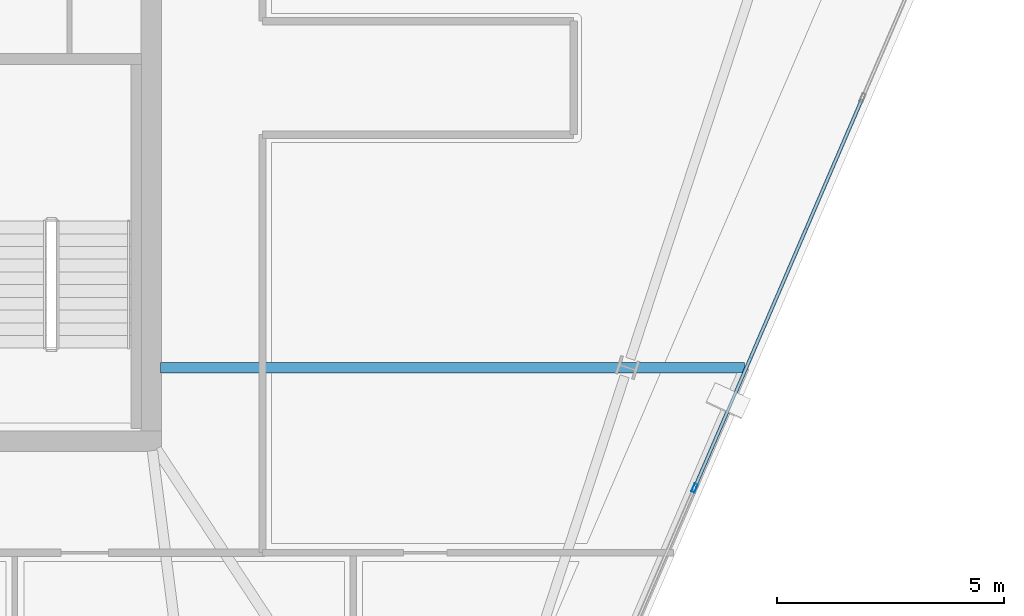
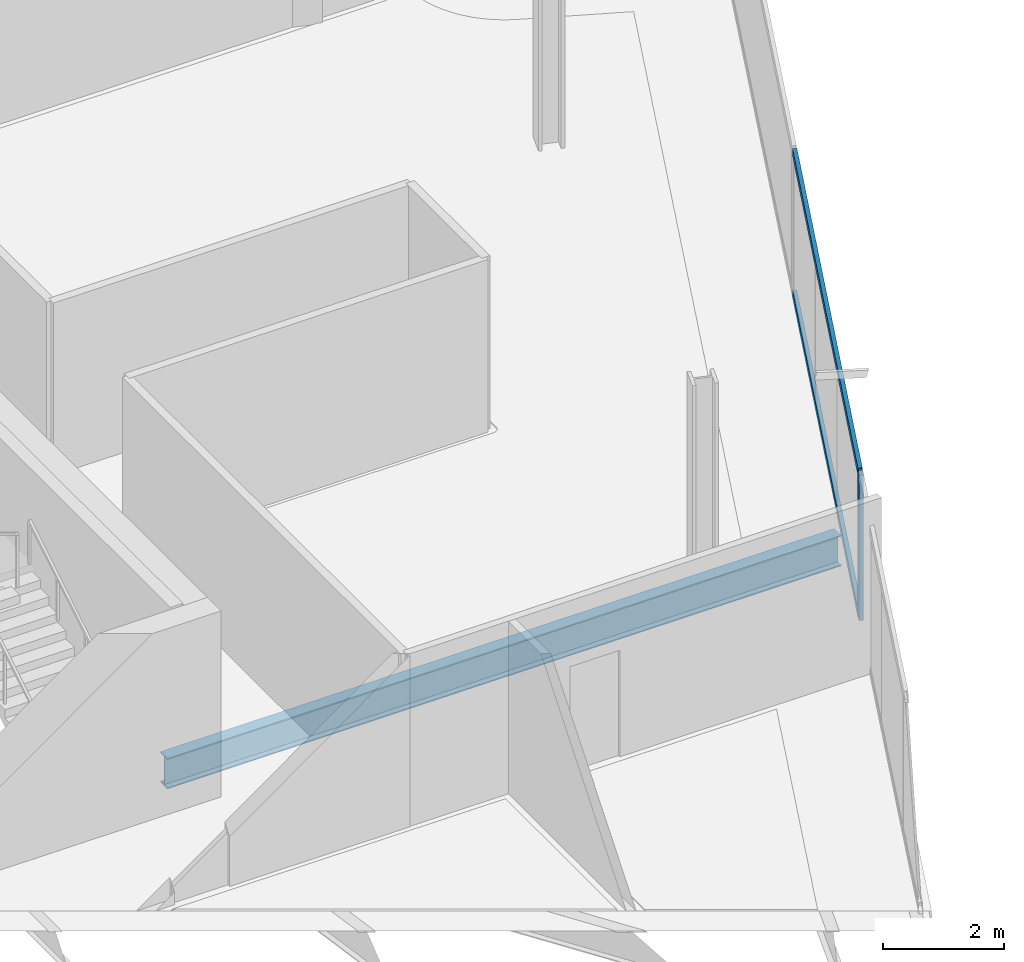
# One storey, part 11 of 28: 3 members, 1 beam, 1 element without a shape of its own.
"""IFC4 building model written with IfcOpenShell, lengths in metres."""

from ifc_helpers import new_model, si_unit, direction, frame, origin, origin_2d, place, context, subcontext, project, spatial, hollow_rectangle, i_section, extrude, material, material_profile, profile_set, type_object, element, aggregate, save


model = new_model("IFC4")

# Units and contexts
model_context = context("Model", 3, precision=1e-05, world=origin(), true_north=direction((0.0, 1.0)))
body_context = subcontext(model_context, "Body", "Model", "MODEL_VIEW")
ifc_project = project(units=[si_unit("LENGTHUNIT", "METRE"), si_unit("AREAUNIT", "SQUARE_METRE"), si_unit("VOLUMEUNIT", "CUBIC_METRE"), si_unit("PLANEANGLEUNIT", "RADIAN"), si_unit("MASSUNIT", "GRAM", prefix="KILO")], contexts=[model_context])

# Site, building, storey
site_placement = place(None, origin())
site = spatial("IfcSite", under=ifc_project, at=site_placement, CompositionType="ELEMENT")
building_placement = place(site_placement, origin())
building = spatial("IfcBuilding", under=site, at=building_placement, Name="Haldenkirk Collegiate Tower", CompositionType="ELEMENT")
storey_placement = place(building_placement, frame((0.0, 0.0, 252.449951171875)))
storey = spatial("IfcBuildingStorey", under=building, at=storey_placement, Name="L63", CompositionType="ELEMENT", Elevation=252.449951171875)

# Beam
ifc_material_1 = material(Name="Steel ASTM A992 Grade 50", Category="steel")
ifc_material_profile_1 = material_profile(ifc_material_1, i_section(OverallWidth=0.22998046875, OverallDepth=0.616943359375, WebThickness=0.01318359375, FlangeThickness=0.022216796875, at=origin_2d()), Name="W24X94")
ifc_profile_set_1 = profile_set([ifc_material_profile_1], Name="Steel ASTM A992 Grade 50")
beam_type = type_object("IfcBeamType", Name="BM-GIRDER-W24X94", PredefinedType="BEAM", material=ifc_profile_set_1)
beam_placement = place(storey_placement, frame((58.056884765625, 19.624267578125, -0.578369140625), z_axis=(-1.0, 0.0, 0.0), x_axis=(0.0, -1.0, 0.0)))
element("IfcBeam", 1, at=beam_placement, inside=storey, type_object=beam_type, Name="L63 primary floor girder 06", PredefinedType="BEAM", context=body_context, shape_type="SweptSolid", body=[
    extrude(i_section(OverallWidth=0.22998046875, OverallDepth=0.616943359375, WebThickness=0.01318359375, FlangeThickness=0.022216796875, at=origin_2d()), origin(), (0.0, 0.0, 1.0), 12.851806640625),
])

# Curtain wall, members
ifc_material_2 = material(Name="Anodised architectural bronze aluminium", Category="aluminium")
curtain_wall_type = type_object("IfcCurtainWallType", Name="CW-SYS2-CONCAVE", PredefinedType="USERDEFINED", material=ifc_material_2)
curtain_wall_placement = place(storey_placement, origin())
curtain_wall = element("IfcCurtainWall", 2, at=curtain_wall_placement, inside=storey, type_object=curtain_wall_type, Name="L63 South concave recessed bronze-anodised curtain wall", ObjectType="UNITISED CURTAIN WALL", PredefinedType="USERDEFINED")
ifc_material_profile_2 = material_profile(ifc_material_2, hollow_rectangle(XDim=0.074951171875, YDim=0.18994140625, WallThickness=0.0048828125, at=origin_2d()), Name="CW-MUL-02")
ifc_profile_set_2 = profile_set([ifc_material_profile_2], Name="Anodised architectural bronze aluminium")
member_type_1 = type_object("IfcMemberType", Name="CW-MUL-02", PredefinedType="MULLION", material=ifc_profile_set_2)
member_1_placement = place(storey_placement, frame((56.958984375, 16.9736328125, 0.0), z_axis=(0.0, 0.0, 1.0), x_axis=(0.918446421115, -0.395545410215, 0.0)))
member_1 = element("IfcMember", 3, at=member_1_placement, type_object=member_type_1, Name="CW-02 mullion 3", PredefinedType="MULLION", context=body_context, shape_type="SweptSolid", body=[
    extrude(hollow_rectangle(XDim=0.074951171875, YDim=0.18994140625, WallThickness=0.0048828125, at=origin_2d()), origin(), (0.0, 0.0, 1.0), 2.93798828125),
])
ifc_material_profile_3 = material_profile(ifc_material_2, hollow_rectangle(XDim=0.074951171875, YDim=0.159912109375, WallThickness=0.0048828125, at=origin_2d()), Name="CW-TRN-02")
ifc_profile_set_3 = profile_set([ifc_material_profile_3], Name="Anodised architectural bronze aluminium")
member_type_2 = type_object("IfcMemberType", Name="CW-TRN-02", PredefinedType="USERDEFINED", material=ifc_profile_set_3)
member_2_placement = place(storey_placement, frame((60.642578125, 25.526611328125, 0.03759765625), z_axis=(-0.395548406004, -0.918445130918, 0.0), x_axis=(0.918445130918, -0.395548406004, 0.0)))
member_2 = element("IfcMember", 4, at=member_2_placement, type_object=member_type_2, Name="CW-02 transom 2.1", ObjectType="TRANSOM", PredefinedType="USERDEFINED", context=body_context, shape_type="SweptSolid", body=[
    extrude(hollow_rectangle(XDim=0.074951171875, YDim=0.159912109375, WallThickness=0.0048828125, at=origin_2d()), origin(), (0.0, 0.0, 1.0), 9.27490234375),
])
member_3_placement = place(storey_placement, frame((60.642578125, 25.526611328125, 2.900634765625), z_axis=(-0.395548406004, -0.918445130918, 0.0), x_axis=(0.918445130918, -0.395548406004, 0.0)))
member_3 = element("IfcMember", 5, at=member_3_placement, type_object=member_type_2, Name="CW-02 transom 2.2", ObjectType="TRANSOM", PredefinedType="USERDEFINED", context=body_context, shape_type="SweptSolid", body=[
    extrude(hollow_rectangle(XDim=0.074951171875, YDim=0.159912109375, WallThickness=0.0048828125, at=origin_2d()), origin(), (0.0, 0.0, 1.0), 9.27490234375),
])
aggregate(curtain_wall, [member_1, member_2, member_3])

save(model, "model.ifc")
